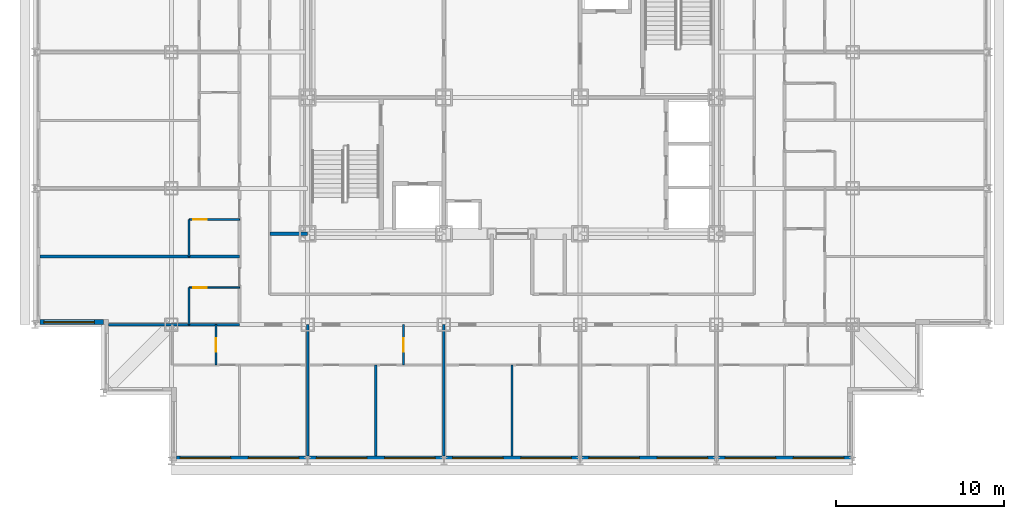
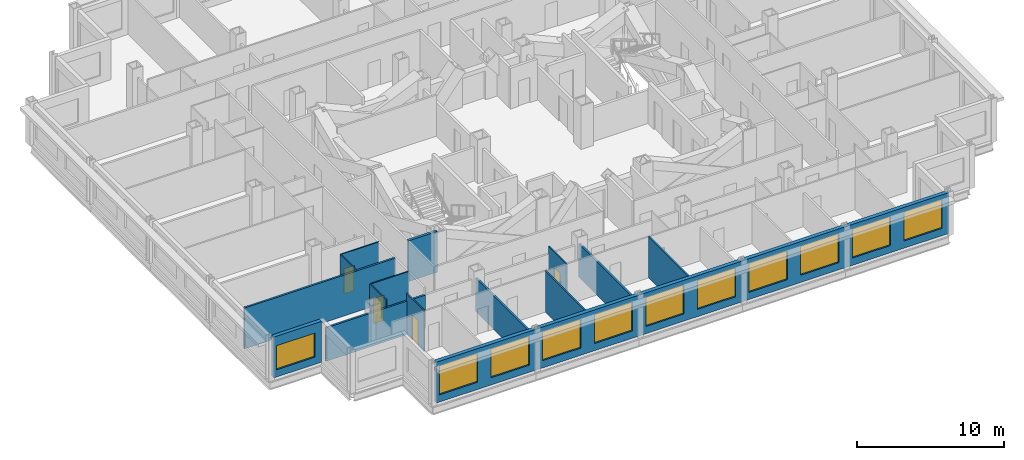
# One storey, part 4 of 12: 15 walls, 11 windows, 4 doors, 15 openings.
"""IFC4 building model written with IfcOpenShell, lengths in metres."""

from ifc_helpers import new_model, si_unit, direction, frame, frame_2d, origin, place, context, subcontext, project, spatial, rectangle, extrude, material, layer, layer_set, type_object, element, fill, save


model = new_model("IFC4")

# Units and contexts
model_context = context("Model", 3, precision=1e-05, world=origin(), true_north=direction((0.0, 1.0)))
body_context = subcontext(model_context, "Body", "Model", "MODEL_VIEW")
ifc_project = project(units=[si_unit("LENGTHUNIT", "METRE"), si_unit("AREAUNIT", "SQUARE_METRE"), si_unit("VOLUMEUNIT", "CUBIC_METRE"), si_unit("PLANEANGLEUNIT", "RADIAN"), si_unit("MASSUNIT", "GRAM", prefix="KILO")], contexts=[model_context])

# Site, building, storey
site_placement = place(None, origin())
site = spatial("IfcSite", under=ifc_project, at=site_placement, CompositionType="ELEMENT")
building_placement = place(site_placement, origin())
building = spatial("IfcBuilding", under=site, at=building_placement, Name="Kopane Lantern Tower", CompositionType="ELEMENT")
storey_placement = place(building_placement, frame((0.0, 0.0, 181.199951171875)))
storey = spatial("IfcBuildingStorey", under=building, at=storey_placement, Name="L46", CompositionType="ELEMENT", Elevation=181.199951171875)

# Walls
ifc_material_1 = material(Name="Gypsum board on steel studs", Category="steel")
ifc_layer_1 = layer(ifc_material_1, 0.1201171875)
ifc_layer_set_1 = layer_set([ifc_layer_1], Name="APARTMENT INTERNAL WALL 120")
wall_type_1 = type_object("IfcWallType", Name="APARTMENT INTERNAL WALL 120", PredefinedType="PARTITIONING", material=ifc_layer_set_1)
for number, where, z_axis, x_axis, name in (
    (1, (20.25, 16.5, 0.0), (0.0, 0.0, 1.0), (0.0, -1.0, 0.0), "Apartment Internal Wall 120 L46"),
    (2, (28.35009765625, 16.5, 0.0), (0.0, 0.0, 1.0), (0.0, -1.0, 0.0), "Apartment Internal Wall 120 L46"),
):
    element("IfcWall", number, at=place(storey_placement, frame(where, z_axis=z_axis, x_axis=x_axis)), inside=storey, type_object=wall_type_1, Name=name, PredefinedType="PARTITIONING", context=body_context, shape_type="SweptSolid", body=[
        extrude(rectangle(XDim=5.39990234375, YDim=0.1201171875, at=frame_2d((2.699951171875, 0.0))), origin(), (0.0, 0.0, 1.0), 3.39013671875),
    ])

# Wall, opening, door
ifc_material_2 = material(Name="Moisture-resistant board on steel studs", Category="steel")
ifc_layer_2 = layer(ifc_material_2, 0.10009765625)
ifc_layer_set_2 = layer_set([ifc_layer_2], Name="BATHROOM WALL 100")
wall_type_2 = type_object("IfcWallType", Name="BATHROOM WALL 100", PredefinedType="PARTITIONING", material=ifc_layer_set_2)
wall_1_placement = place(storey_placement, frame((21.89990234375, 18.89990234375, 0.0), z_axis=(0.0, 0.0, 1.0), x_axis=(0.0, -1.0, 0.0)))
wall_1 = element("IfcWall", 3, at=wall_1_placement, inside=storey, type_object=wall_type_2, Name="Bathroom Wall 100 L46", PredefinedType="PARTITIONING", context=body_context, shape_type="SweptSolid", body=[
    extrude(rectangle(XDim=2.39990234375, YDim=0.10009765625, at=frame_2d((1.199951171875, 0.0))), origin(), (0.0, 0.0, 1.0), 3.39013671875),
])
opening_1_placement = place(wall_1_placement, frame((0.800048828125, 0.0, 0.0)))
opening_1 = element("IfcOpeningElement", 4, at=opening_1_placement, cuts=wall_1, Name="Opening L46-012", PredefinedType="OPENING", context=body_context, shape_type="SweptSolid", body=[
    extrude(rectangle(XDim=0.800048828125, YDim=2.10009765625, at=frame_2d((0.39990234375, 1.050048828125))), frame((0.0, 0.06005859375, 0.0), z_axis=(0.0, -1.0, 0.0), x_axis=(1.0, 0.0, 0.0)), (0.0, 0.0, 1.0), 0.1201171875),
])
ifc_material_3 = material(Name="Timber door set", Category="wood")
door_type = type_object("IfcDoorType", Name="DOOR D2 800x2100", OperationType="SINGLE_SWING_LEFT", PredefinedType="DOOR", material=ifc_material_3)
door_1_placement = place(opening_1_placement, origin())
door_1 = element("IfcDoor", 5, at=door_1_placement, inside=storey, type_object=door_type, Name="Door L46-012", OperationType="SINGLE_SWING_LEFT", OverallHeight=2.10009765625, OverallWidth=0.800048828125, PredefinedType="DOOR", context=body_context, shape_type="SweptSolid", body=[
    extrude(rectangle(XDim=0.800048828125, YDim=2.10009765625, at=frame_2d((0.39990234375, 1.050048828125))), frame((0.0, 0.02490234375, 0.0), z_axis=(0.0, -1.0, 0.0), x_axis=(1.0, 0.0, 0.0)), (0.0, 0.0, 1.0), 0.050048828125),
])
fill(opening_1, door_1)

# Wall
wall_2_placement = place(storey_placement, frame((9.14990234375, 18.89990234375, 0.0), z_axis=(0.0, 0.0, 1.0), x_axis=(0.0, 1.0, 0.0)))
element("IfcWall", 6, at=wall_2_placement, inside=storey, type_object=wall_type_2, Name="Bathroom Wall 100 L46", PredefinedType="PARTITIONING", context=body_context, shape_type="SweptSolid", body=[
    extrude(rectangle(XDim=2.2001953125, YDim=0.10009765625, at=frame_2d((1.10009765625, 0.0))), origin(), (0.0, 0.0, 1.0), 3.39013671875),
])

# Wall, opening, door
wall_3_placement = place(storey_placement, frame((12.14990234375, 21.10009765625, 0.0), z_axis=(0.0, 0.0, 1.0), x_axis=(-1.0, 0.0, 0.0)))
wall_3 = element("IfcWall", 7, at=wall_3_placement, inside=storey, type_object=wall_type_2, Name="Bathroom Wall 100 L46", PredefinedType="PARTITIONING", context=body_context, shape_type="SweptSolid", body=[
    extrude(rectangle(XDim=3.0, YDim=0.10009765625, at=frame_2d((1.5, 0.0))), origin(), (0.0, 0.0, 1.0), 3.39013671875),
])
opening_2_placement = place(wall_3_placement, frame((1.949951171875, 0.0, 0.0)))
opening_2 = element("IfcOpeningElement", 8, at=opening_2_placement, cuts=wall_3, Name="Opening L46-032", PredefinedType="OPENING", context=body_context, shape_type="SweptSolid", body=[
    extrude(rectangle(XDim=0.800048828125, YDim=2.10009765625, at=frame_2d((0.39990234375, 1.050048828125))), frame((0.0, 0.06005859375, 0.0), z_axis=(0.0, -1.0, 0.0), x_axis=(1.0, 0.0, 0.0)), (0.0, 0.0, 1.0), 0.1201171875),
])
door_2_placement = place(opening_2_placement, origin())
door_2 = element("IfcDoor", 9, at=door_2_placement, inside=storey, type_object=door_type, Name="Door L46-032", OperationType="SINGLE_SWING_RIGHT", OverallHeight=2.10009765625, OverallWidth=0.800048828125, PredefinedType="DOOR", context=body_context, shape_type="SweptSolid", body=[
    extrude(rectangle(XDim=0.800048828125, YDim=2.10009765625, at=frame_2d((0.39990234375, 1.050048828125))), frame((0.0, 0.02490234375, 0.0), z_axis=(0.0, -1.0, 0.0), x_axis=(1.0, 0.0, 0.0)), (0.0, 0.0, 1.0), 0.050048828125),
])
fill(opening_2, door_2)

# Wall
wall_4_placement = place(storey_placement, frame((9.14990234375, 22.949951171875, 0.0), z_axis=(0.0, 0.0, 1.0), x_axis=(0.0, 1.0, 0.0)))
element("IfcWall", 10, at=wall_4_placement, inside=storey, type_object=wall_type_2, Name="Bathroom Wall 100 L46", PredefinedType="PARTITIONING", context=body_context, shape_type="SweptSolid", body=[
    extrude(rectangle(XDim=2.199951171875, YDim=0.10009765625, at=frame_2d((1.10009765625, 0.0))), origin(), (0.0, 0.0, 1.0), 3.39013671875),
])

# Wall, opening, door
wall_5_placement = place(storey_placement, frame((12.14990234375, 25.14990234375, 0.0), z_axis=(0.0, 0.0, 1.0), x_axis=(-1.0, 0.0, 0.0)))
wall_5 = element("IfcWall", 11, at=wall_5_placement, inside=storey, type_object=wall_type_2, Name="Bathroom Wall 100 L46", PredefinedType="PARTITIONING", context=body_context, shape_type="SweptSolid", body=[
    extrude(rectangle(XDim=3.0, YDim=0.10009765625, at=frame_2d((1.5, 0.0))), origin(), (0.0, 0.0, 1.0), 3.39013671875),
])
opening_3_placement = place(wall_5_placement, frame((1.949951171875, 0.0, 0.0)))
opening_3 = element("IfcOpeningElement", 12, at=opening_3_placement, cuts=wall_5, Name="Opening L46-034", PredefinedType="OPENING", context=body_context, shape_type="SweptSolid", body=[
    extrude(rectangle(XDim=0.800048828125, YDim=2.10009765625, at=frame_2d((0.39990234375, 1.050048828125))), frame((0.0, 0.06005859375, 0.0), z_axis=(0.0, -1.0, 0.0), x_axis=(1.0, 0.0, 0.0)), (0.0, 0.0, 1.0), 0.1201171875),
])
door_3_placement = place(opening_3_placement, origin())
door_3 = element("IfcDoor", 13, at=door_3_placement, inside=storey, type_object=door_type, Name="Door L46-034", OperationType="SINGLE_SWING_RIGHT", OverallHeight=2.10009765625, OverallWidth=0.800048828125, PredefinedType="DOOR", context=body_context, shape_type="SweptSolid", body=[
    extrude(rectangle(XDim=0.800048828125, YDim=2.10009765625, at=frame_2d((0.39990234375, 1.050048828125))), frame((0.0, 0.02490234375, 0.0), z_axis=(0.0, -1.0, 0.0), x_axis=(1.0, 0.0, 0.0)), (0.0, 0.0, 1.0), 0.050048828125),
])
fill(opening_3, door_3)

wall_6_placement = place(storey_placement, frame((10.75, 18.89990234375, 0.0), z_axis=(0.0, 0.0, 1.0), x_axis=(0.0, -1.0, 0.0)))
wall_6 = element("IfcWall", 14, at=wall_6_placement, inside=storey, type_object=wall_type_2, Name="Bathroom Wall 100 L46", PredefinedType="PARTITIONING", context=body_context, shape_type="SweptSolid", body=[
    extrude(rectangle(XDim=2.39990234375, YDim=0.10009765625, at=frame_2d((1.199951171875, 0.0))), origin(), (0.0, 0.0, 1.0), 3.39013671875),
])
opening_4_placement = place(wall_6_placement, frame((0.800048828125, 0.0, 0.0)))
opening_4 = element("IfcOpeningElement", 15, at=opening_4_placement, cuts=wall_6, Name="Opening L46-062", PredefinedType="OPENING", context=body_context, shape_type="SweptSolid", body=[
    extrude(rectangle(XDim=0.800048828125, YDim=2.10009765625, at=frame_2d((0.39990234375, 1.050048828125))), frame((0.0, 0.06005859375, 0.0), z_axis=(0.0, -1.0, 0.0), x_axis=(1.0, 0.0, 0.0)), (0.0, 0.0, 1.0), 0.1201171875),
])
door_4_placement = place(opening_4_placement, origin())
door_4 = element("IfcDoor", 16, at=door_4_placement, inside=storey, type_object=door_type, Name="Door L46-062", OperationType="SINGLE_SWING_RIGHT", OverallHeight=2.10009765625, OverallWidth=0.800048828125, PredefinedType="DOOR", context=body_context, shape_type="SweptSolid", body=[
    extrude(rectangle(XDim=0.800048828125, YDim=2.10009765625, at=frame_2d((0.39990234375, 1.050048828125))), frame((0.0, 0.02490234375, 0.0), z_axis=(0.0, -1.0, 0.0), x_axis=(1.0, 0.0, 0.0)), (0.0, 0.0, 1.0), 0.050048828125),
])
fill(opening_4, door_4)

# Walls
ifc_material_4 = material(Name="Gypsum board on steel studs", Category="steel")
ifc_layer_3 = layer(ifc_material_4, 0.14990234375)
ifc_layer_set_3 = layer_set([ifc_layer_3], Name="DEMISING WALL 150 EI 60")
wall_type_3 = type_object("IfcWallType", Name="DEMISING WALL 150 EI 60", PredefinedType="PARTITIONING", material=ifc_layer_set_3)
wall_7_placement = place(storey_placement, frame((24.300048828125, 18.89990234375, 0.0), z_axis=(0.0, 0.0, 1.0), x_axis=(0.0, -1.0, 0.0)))
element("IfcWall", 17, at=wall_7_placement, inside=storey, type_object=wall_type_3, Name="Demising Wall 150 Ei 60 L46", PredefinedType="PARTITIONING", context=body_context, shape_type="SweptSolid", body=[
    extrude(rectangle(XDim=7.7998046875, YDim=0.14990234375, at=frame_2d((3.89990234375, 0.0))), origin(), (0.0, 0.0, 1.0), 2.77783203125),
])
wall_8_placement = place(storey_placement, frame((12.14990234375, 22.949951171875, 0.0), z_axis=(0.0, 0.0, 1.0), x_axis=(-1.0, 0.0, 0.0)))
element("IfcWall", 18, at=wall_8_placement, inside=storey, type_object=wall_type_3, Name="Demising Wall 150 Ei 60 L46", PredefinedType="PARTITIONING", context=body_context, shape_type="SweptSolid", body=[
    extrude(rectangle(XDim=11.849853515625, YDim=0.14990234375, at=frame_2d((5.9248046875, 0.0))), origin(), (0.0, 0.0, 1.0), 3.39013671875),
])
for number, where, z_axis, x_axis, name in (
    (19, (4.35009765625, 18.89990234375, 0.0), (0.0, 0.0, 1.0), (1.0, 0.0, 0.0), "Demising Wall 150 Ei 60 L46"),
    (20, (16.199951171875, 18.89990234375, 0.0), (0.0, 0.0, 1.0), (0.0, -1.0, 0.0), "Demising Wall 150 Ei 60 L46"),
):
    element("IfcWall", number, at=place(storey_placement, frame(where, z_axis=z_axis, x_axis=x_axis)), inside=storey, type_object=wall_type_3, Name=name, PredefinedType="PARTITIONING", context=body_context, shape_type="SweptSolid", body=[
        extrude(rectangle(XDim=7.7998046875, YDim=0.14990234375, at=frame_2d((3.89990234375, 0.0))), origin(), (0.0, 0.0, 1.0), 2.77783203125),
    ])

# Wall, openings, windows
ifc_material_5 = material(Name="Terracotta rainscreen on light steel framing", Category="masonry")
ifc_layer_4 = layer(ifc_material_5, 0.300048828125)
ifc_layer_set_4 = layer_set([ifc_layer_4], Name="EXTERNAL WALL EW1 300 TERRACOTTA")
wall_type_4 = type_object("IfcWallType", Name="EXTERNAL WALL EW1 300 TERRACOTTA", PredefinedType="SOLIDWALL", material=ifc_layer_set_4)
wall_9_placement = place(storey_placement, frame((8.39990234375, 10.949951171875, 0.0), z_axis=(0.0, 0.0, 1.0), x_axis=(1.0, 0.0, 0.0)))
wall_9 = element("IfcWall", 21, at=wall_9_placement, inside=storey, type_object=wall_type_4, Name="External wall S L46", PredefinedType="SOLIDWALL", context=body_context, shape_type="SweptSolid", body=[
    extrude(rectangle(XDim=40.2001953125, YDim=0.300048828125, at=frame_2d((20.10009765625, 0.0))), origin(), (0.0, 0.0, 1.0), 3.39013671875),
])
opening_5_placement = place(wall_9_placement, frame((0.22509765625, 0.0, 0.60009765625)))
opening_5 = element("IfcOpeningElement", 22, at=opening_5_placement, cuts=wall_9, Name="Opening WR300240", PredefinedType="OPENING", context=body_context, shape_type="SweptSolid", body=[
    extrude(rectangle(XDim=3.0, YDim=2.39990234375, at=frame_2d((1.5, 1.199951171875))), frame((0.0, 0.159912109375, 0.0), z_axis=(0.0, -1.0, 0.0), x_axis=(1.0, 0.0, 0.0)), (0.0, 0.0, 1.0), 0.320068359375),
])
opening_6_placement = place(wall_9_placement, frame((4.27490234375, 0.0, 0.60009765625)))
opening_6 = element("IfcOpeningElement", 23, at=opening_6_placement, cuts=wall_9, Name="Opening WR300240", PredefinedType="OPENING", context=body_context, shape_type="SweptSolid", body=[
    extrude(rectangle(XDim=3.0, YDim=2.39990234375, at=frame_2d((1.5, 1.199951171875))), frame((0.0, 0.159912109375, 0.0), z_axis=(0.0, -1.0, 0.0), x_axis=(1.0, 0.0, 0.0)), (0.0, 0.0, 1.0), 0.320068359375),
])
opening_7_placement = place(wall_9_placement, frame((8.324951171875, 0.0, 0.60009765625)))
opening_7 = element("IfcOpeningElement", 24, at=opening_7_placement, cuts=wall_9, Name="Opening WR300240", PredefinedType="OPENING", context=body_context, shape_type="SweptSolid", body=[
    extrude(rectangle(XDim=3.0, YDim=2.39990234375, at=frame_2d((1.5, 1.199951171875))), frame((0.0, 0.159912109375, 0.0), z_axis=(0.0, -1.0, 0.0), x_axis=(1.0, 0.0, 0.0)), (0.0, 0.0, 1.0), 0.320068359375),
])
opening_8_placement = place(wall_9_placement, frame((12.375, 0.0, 0.60009765625)))
opening_8 = element("IfcOpeningElement", 25, at=opening_8_placement, cuts=wall_9, Name="Opening WR300240", PredefinedType="OPENING", context=body_context, shape_type="SweptSolid", body=[
    extrude(rectangle(XDim=3.0, YDim=2.39990234375, at=frame_2d((1.5, 1.199951171875))), frame((0.0, 0.159912109375, 0.0), z_axis=(0.0, -1.0, 0.0), x_axis=(1.0, 0.0, 0.0)), (0.0, 0.0, 1.0), 0.320068359375),
])
opening_9_placement = place(wall_9_placement, frame((16.425048828125, 0.0, 0.60009765625)))
opening_9 = element("IfcOpeningElement", 26, at=opening_9_placement, cuts=wall_9, Name="Opening WR300240", PredefinedType="OPENING", context=body_context, shape_type="SweptSolid", body=[
    extrude(rectangle(XDim=3.0, YDim=2.39990234375, at=frame_2d((1.5, 1.199951171875))), frame((0.0, 0.159912109375, 0.0), z_axis=(0.0, -1.0, 0.0), x_axis=(1.0, 0.0, 0.0)), (0.0, 0.0, 1.0), 0.320068359375),
])
opening_10_placement = place(wall_9_placement, frame((20.47509765625, 0.0, 0.60009765625)))
opening_10 = element("IfcOpeningElement", 27, at=opening_10_placement, cuts=wall_9, Name="Opening WR300240", PredefinedType="OPENING", context=body_context, shape_type="SweptSolid", body=[
    extrude(rectangle(XDim=3.0, YDim=2.39990234375, at=frame_2d((1.5, 1.199951171875))), frame((0.0, 0.159912109375, 0.0), z_axis=(0.0, -1.0, 0.0), x_axis=(1.0, 0.0, 0.0)), (0.0, 0.0, 1.0), 0.320068359375),
])
opening_11_placement = place(wall_9_placement, frame((24.52490234375, 0.0, 0.60009765625)))
opening_11 = element("IfcOpeningElement", 28, at=opening_11_placement, cuts=wall_9, Name="Opening WR300240", PredefinedType="OPENING", context=body_context, shape_type="SweptSolid", body=[
    extrude(rectangle(XDim=3.0, YDim=2.39990234375, at=frame_2d((1.5, 1.199951171875))), frame((0.0, 0.159912109375, 0.0), z_axis=(0.0, -1.0, 0.0), x_axis=(1.0, 0.0, 0.0)), (0.0, 0.0, 1.0), 0.320068359375),
])
opening_12_placement = place(wall_9_placement, frame((28.574951171875, 0.0, 0.60009765625)))
opening_12 = element("IfcOpeningElement", 29, at=opening_12_placement, cuts=wall_9, Name="Opening WR300240", PredefinedType="OPENING", context=body_context, shape_type="SweptSolid", body=[
    extrude(rectangle(XDim=3.0, YDim=2.39990234375, at=frame_2d((1.5, 1.199951171875))), frame((0.0, 0.159912109375, 0.0), z_axis=(0.0, -1.0, 0.0), x_axis=(1.0, 0.0, 0.0)), (0.0, 0.0, 1.0), 0.320068359375),
])
opening_13_placement = place(wall_9_placement, frame((32.625, 0.0, 0.60009765625)))
opening_13 = element("IfcOpeningElement", 30, at=opening_13_placement, cuts=wall_9, Name="Opening WR300240", PredefinedType="OPENING", context=body_context, shape_type="SweptSolid", body=[
    extrude(rectangle(XDim=3.0, YDim=2.39990234375, at=frame_2d((1.5, 1.199951171875))), frame((0.0, 0.159912109375, 0.0), z_axis=(0.0, -1.0, 0.0), x_axis=(1.0, 0.0, 0.0)), (0.0, 0.0, 1.0), 0.320068359375),
])
opening_14_placement = place(wall_9_placement, frame((36.675048828125, 0.0, 0.60009765625)))
opening_14 = element("IfcOpeningElement", 31, at=opening_14_placement, cuts=wall_9, Name="Opening WR300240", PredefinedType="OPENING", context=body_context, shape_type="SweptSolid", body=[
    extrude(rectangle(XDim=3.0, YDim=2.39990234375, at=frame_2d((1.5, 1.199951171875))), frame((0.0, 0.159912109375, 0.0), z_axis=(0.0, -1.0, 0.0), x_axis=(1.0, 0.0, 0.0)), (0.0, 0.0, 1.0), 0.320068359375),
])
ifc_material_6 = material(Name="Aluminium and clear glass", Category="aluminium")
window_type_1 = type_object("IfcWindowType", Name="RIBBON WINDOW WR300240 3000x2400", PartitioningType="SINGLE_PANEL", PredefinedType="WINDOW", material=ifc_material_6)
window_1_placement = place(opening_5_placement, origin())
window_1 = element("IfcWindow", 32, at=window_1_placement, inside=storey, type_object=window_type_1, Name="Window S L46", OverallHeight=2.39990234375, OverallWidth=3.0, PartitioningType="SINGLE_PANEL", PredefinedType="WINDOW", context=body_context, shape_type="SweptSolid", body=[
    extrude(rectangle(XDim=3.0, YDim=2.39990234375, at=frame_2d((1.5, 1.199951171875))), frame((0.0, 0.030029296875, 0.0), z_axis=(0.0, -1.0, 0.0), x_axis=(1.0, 0.0, 0.0)), (0.0, 0.0, 1.0), 0.06005859375),
])
fill(opening_5, window_1)
window_2_placement = place(opening_6_placement, origin())
window_2 = element("IfcWindow", 33, at=window_2_placement, inside=storey, type_object=window_type_1, Name="Window S L46", OverallHeight=2.39990234375, OverallWidth=3.0, PartitioningType="SINGLE_PANEL", PredefinedType="WINDOW", context=body_context, shape_type="SweptSolid", body=[
    extrude(rectangle(XDim=3.0, YDim=2.39990234375, at=frame_2d((1.5, 1.199951171875))), frame((0.0, 0.030029296875, 0.0), z_axis=(0.0, -1.0, 0.0), x_axis=(1.0, 0.0, 0.0)), (0.0, 0.0, 1.0), 0.06005859375),
])
fill(opening_6, window_2)
window_3_placement = place(opening_7_placement, origin())
window_3 = element("IfcWindow", 34, at=window_3_placement, inside=storey, type_object=window_type_1, Name="Window S L46", OverallHeight=2.39990234375, OverallWidth=3.0, PartitioningType="SINGLE_PANEL", PredefinedType="WINDOW", context=body_context, shape_type="SweptSolid", body=[
    extrude(rectangle(XDim=3.0, YDim=2.39990234375, at=frame_2d((1.5, 1.199951171875))), frame((0.0, 0.030029296875, 0.0), z_axis=(0.0, -1.0, 0.0), x_axis=(1.0, 0.0, 0.0)), (0.0, 0.0, 1.0), 0.06005859375),
])
fill(opening_7, window_3)
window_4_placement = place(opening_8_placement, origin())
window_4 = element("IfcWindow", 35, at=window_4_placement, inside=storey, type_object=window_type_1, Name="Window S L46", OverallHeight=2.39990234375, OverallWidth=3.0, PartitioningType="SINGLE_PANEL", PredefinedType="WINDOW", context=body_context, shape_type="SweptSolid", body=[
    extrude(rectangle(XDim=3.0, YDim=2.39990234375, at=frame_2d((1.5, 1.199951171875))), frame((0.0, 0.030029296875, 0.0), z_axis=(0.0, -1.0, 0.0), x_axis=(1.0, 0.0, 0.0)), (0.0, 0.0, 1.0), 0.06005859375),
])
fill(opening_8, window_4)
window_5_placement = place(opening_9_placement, origin())
window_5 = element("IfcWindow", 36, at=window_5_placement, inside=storey, type_object=window_type_1, Name="Window S L46", OverallHeight=2.39990234375, OverallWidth=3.0, PartitioningType="SINGLE_PANEL", PredefinedType="WINDOW", context=body_context, shape_type="SweptSolid", body=[
    extrude(rectangle(XDim=3.0, YDim=2.39990234375, at=frame_2d((1.5, 1.199951171875))), frame((0.0, 0.030029296875, 0.0), z_axis=(0.0, -1.0, 0.0), x_axis=(1.0, 0.0, 0.0)), (0.0, 0.0, 1.0), 0.06005859375),
])
fill(opening_9, window_5)
window_6_placement = place(opening_10_placement, origin())
window_6 = element("IfcWindow", 37, at=window_6_placement, inside=storey, type_object=window_type_1, Name="Window S L46", OverallHeight=2.39990234375, OverallWidth=3.0, PartitioningType="SINGLE_PANEL", PredefinedType="WINDOW", context=body_context, shape_type="SweptSolid", body=[
    extrude(rectangle(XDim=3.0, YDim=2.39990234375, at=frame_2d((1.5, 1.199951171875))), frame((0.0, 0.030029296875, 0.0), z_axis=(0.0, -1.0, 0.0), x_axis=(1.0, 0.0, 0.0)), (0.0, 0.0, 1.0), 0.06005859375),
])
fill(opening_10, window_6)
window_7_placement = place(opening_11_placement, origin())
window_7 = element("IfcWindow", 38, at=window_7_placement, inside=storey, type_object=window_type_1, Name="Window S L46", OverallHeight=2.39990234375, OverallWidth=3.0, PartitioningType="SINGLE_PANEL", PredefinedType="WINDOW", context=body_context, shape_type="SweptSolid", body=[
    extrude(rectangle(XDim=3.0, YDim=2.39990234375, at=frame_2d((1.5, 1.199951171875))), frame((0.0, 0.030029296875, 0.0), z_axis=(0.0, -1.0, 0.0), x_axis=(1.0, 0.0, 0.0)), (0.0, 0.0, 1.0), 0.06005859375),
])
fill(opening_11, window_7)
window_8_placement = place(opening_12_placement, origin())
window_8 = element("IfcWindow", 39, at=window_8_placement, inside=storey, type_object=window_type_1, Name="Window S L46", OverallHeight=2.39990234375, OverallWidth=3.0, PartitioningType="SINGLE_PANEL", PredefinedType="WINDOW", context=body_context, shape_type="SweptSolid", body=[
    extrude(rectangle(XDim=3.0, YDim=2.39990234375, at=frame_2d((1.5, 1.199951171875))), frame((0.0, 0.030029296875, 0.0), z_axis=(0.0, -1.0, 0.0), x_axis=(1.0, 0.0, 0.0)), (0.0, 0.0, 1.0), 0.06005859375),
])
fill(opening_12, window_8)
window_9_placement = place(opening_13_placement, origin())
window_9 = element("IfcWindow", 40, at=window_9_placement, inside=storey, type_object=window_type_1, Name="Window S L46", OverallHeight=2.39990234375, OverallWidth=3.0, PartitioningType="SINGLE_PANEL", PredefinedType="WINDOW", context=body_context, shape_type="SweptSolid", body=[
    extrude(rectangle(XDim=3.0, YDim=2.39990234375, at=frame_2d((1.5, 1.199951171875))), frame((0.0, 0.030029296875, 0.0), z_axis=(0.0, -1.0, 0.0), x_axis=(1.0, 0.0, 0.0)), (0.0, 0.0, 1.0), 0.06005859375),
])
fill(opening_13, window_9)
window_10_placement = place(opening_14_placement, origin())
window_10 = element("IfcWindow", 41, at=window_10_placement, inside=storey, type_object=window_type_1, Name="Window S L46", OverallHeight=2.39990234375, OverallWidth=3.0, PartitioningType="SINGLE_PANEL", PredefinedType="WINDOW", context=body_context, shape_type="SweptSolid", body=[
    extrude(rectangle(XDim=3.0, YDim=2.39990234375, at=frame_2d((1.5, 1.199951171875))), frame((0.0, 0.030029296875, 0.0), z_axis=(0.0, -1.0, 0.0), x_axis=(1.0, 0.0, 0.0)), (0.0, 0.0, 1.0), 0.06005859375),
])
fill(opening_14, window_10)

# Wall, opening, window
wall_10_placement = place(storey_placement, frame((0.300048828125, 19.050048828125, 0.0), z_axis=(0.0, 0.0, 1.0), x_axis=(1.0, 0.0, 0.0)))
wall_10 = element("IfcWall", 42, at=wall_10_placement, inside=storey, type_object=wall_type_4, Name="External wall S L46", PredefinedType="SOLIDWALL", context=body_context, shape_type="SweptSolid", body=[
    extrude(rectangle(XDim=3.75, YDim=0.300048828125, at=frame_2d((1.875, 0.0))), origin(), (0.0, 0.0, 1.0), 3.39013671875),
])
opening_15_placement = place(wall_10_placement, frame((0.22509765625, 0.0, 0.60009765625)))
opening_15 = element("IfcOpeningElement", 43, at=opening_15_placement, cuts=wall_10, Name="Opening WR300200", PredefinedType="OPENING", context=body_context, shape_type="SweptSolid", body=[
    extrude(rectangle(XDim=3.0, YDim=2.0, at=frame_2d((1.5, 1.0))), frame((0.0, 0.159912109375, 0.0), z_axis=(0.0, -1.0, 0.0), x_axis=(1.0, 0.0, 0.0)), (0.0, 0.0, 1.0), 0.320068359375),
])
ifc_material_7 = material(Name="Aluminium and clear glass", Category="aluminium")
window_type_2 = type_object("IfcWindowType", Name="RIBBON WINDOW WR300200 3000x2000", PartitioningType="SINGLE_PANEL", PredefinedType="WINDOW", material=ifc_material_7)
window_11_placement = place(opening_15_placement, origin())
window_11 = element("IfcWindow", 44, at=window_11_placement, inside=storey, type_object=window_type_2, Name="Window S L46", OverallHeight=2.0, OverallWidth=3.0, PartitioningType="SINGLE_PANEL", PredefinedType="WINDOW", context=body_context, shape_type="SweptSolid", body=[
    extrude(rectangle(XDim=3.0, YDim=2.0, at=frame_2d((1.5, 1.0))), frame((0.0, 0.030029296875, 0.0), z_axis=(0.0, -1.0, 0.0), x_axis=(1.0, 0.0, 0.0)), (0.0, 0.0, 1.0), 0.06005859375),
])
fill(opening_15, window_11)

# Wall
ifc_material_8 = material(Name="Concrete masonry", Category="masonry")
ifc_layer_5 = layer(ifc_material_8, 0.199951171875)
ifc_layer_set_5 = layer_set([ifc_layer_5], Name="PLANT ROOM WALL 200 EI 120")
wall_type_5 = type_object("IfcWallType", Name="PLANT ROOM WALL 200 EI 120", PredefinedType="SOLIDWALL", material=ifc_layer_set_5)
wall_11_placement = place(storey_placement, frame((13.949951171875, 24.300048828125, 0.0), z_axis=(0.0, 0.0, 1.0), x_axis=(1.0, 0.0, 0.0)))
element("IfcWall", 45, at=wall_11_placement, inside=storey, type_object=wall_type_5, Name="Plant Room Wall 200 Ei 120 L46", PredefinedType="SOLIDWALL", context=body_context, shape_type="SweptSolid", body=[
    extrude(rectangle(XDim=2.25, YDim=0.199951171875, at=frame_2d((1.125, 0.0))), origin(), (0.0, 0.0, 1.0), 3.39013671875),
])

save(model, "model.ifc")
